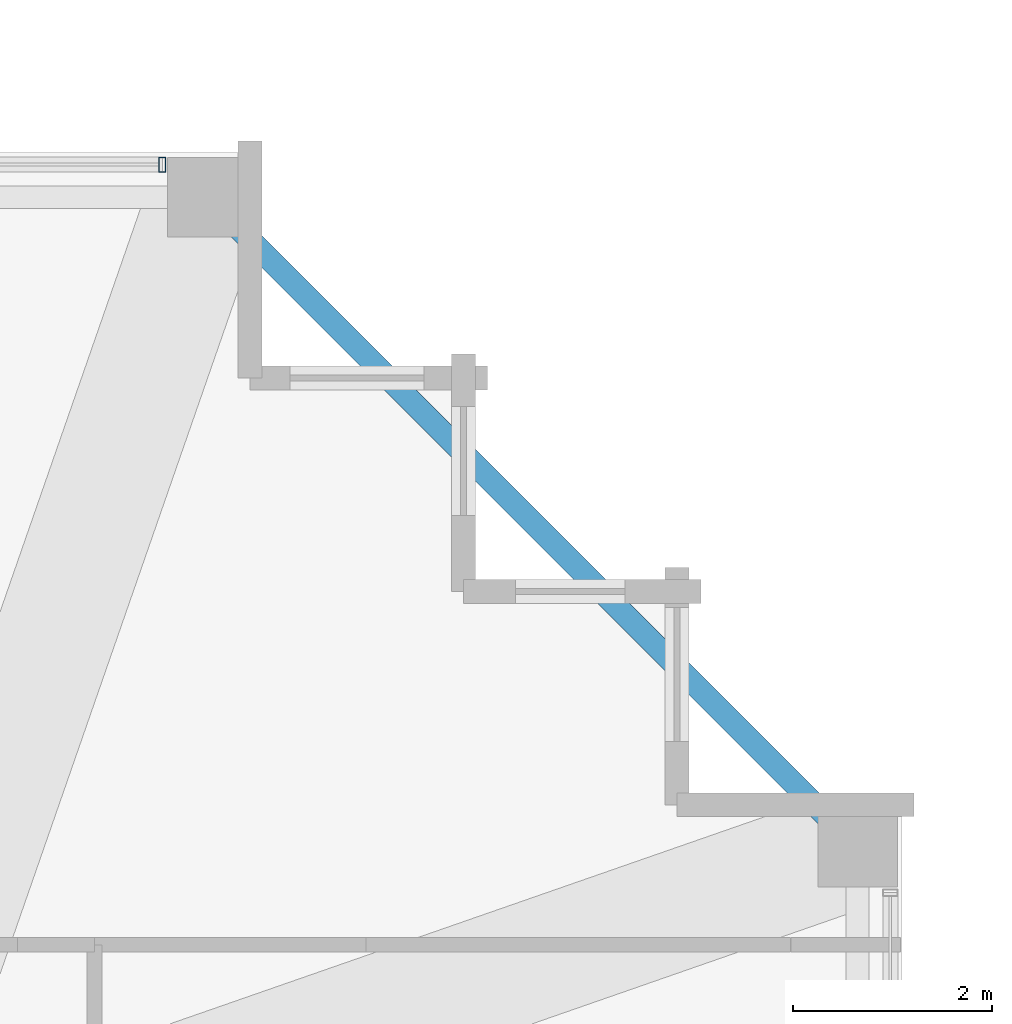
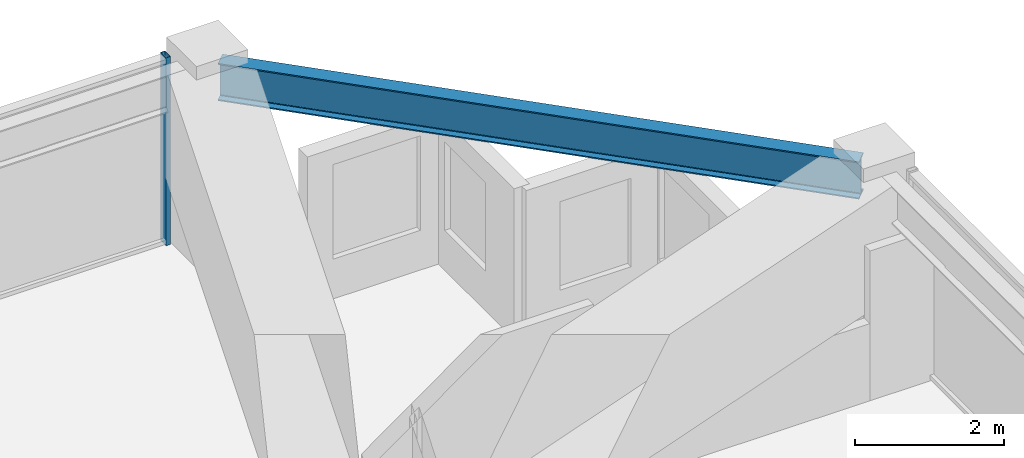
# One storey, part 24 of 37: 1 beam, 1 member, 1 element without a shape of its own.
"""IFC4 building model written with IfcOpenShell, lengths in metres."""

from ifc_helpers import new_model, si_unit, direction, frame, origin, origin_2d, place, context, subcontext, project, spatial, hollow_rectangle, i_section, extrude, material, material_profile, profile_set, type_object, element, aggregate, save


model = new_model("IFC4")

# Units and contexts
model_context = context("Model", 3, precision=1e-05, world=origin(), true_north=direction((0.0, 1.0)))
body_context = subcontext(model_context, "Body", "Model", "MODEL_VIEW")
ifc_project = project(units=[si_unit("LENGTHUNIT", "METRE"), si_unit("AREAUNIT", "SQUARE_METRE"), si_unit("VOLUMEUNIT", "CUBIC_METRE"), si_unit("PLANEANGLEUNIT", "RADIAN"), si_unit("MASSUNIT", "GRAM", prefix="KILO")], contexts=[model_context])

# Site, building, storey
site_placement = place(None, origin())
site = spatial("IfcSite", under=ifc_project, at=site_placement, CompositionType="ELEMENT")
building_placement = place(site_placement, origin())
building = spatial("IfcBuilding", under=site, at=building_placement, Name="Kolvaren Belvedere", CompositionType="ELEMENT")
storey_placement = place(building_placement, frame((0.0, 0.0, 219.60009765625)))
storey = spatial("IfcBuildingStorey", under=building, at=storey_placement, Name="L64", CompositionType="ELEMENT", Elevation=219.60009765625)

# Beam
ifc_material_1 = material(Name="Structural steel ASTM A992 Grade 50", Category="steel")
ifc_material_profile_1 = material_profile(ifc_material_1, i_section(OverallWidth=0.22900390625, OverallDepth=0.612060546875, WebThickness=0.011962890625, FlangeThickness=0.01953125, FilletRadius=0.01806640625, at=origin_2d()), Name="W24X84")
ifc_profile_set_1 = profile_set([ifc_material_profile_1], Name="Structural steel ASTM A992 Grade 50")
beam_type = type_object("IfcBeamType", Name="BM-SPAN-W24X84", PredefinedType="SPANDREL", material=ifc_profile_set_1)
beam_placement = place(storey_placement, frame((19.82275390625, 13.52734375, 2.77392578125), z_axis=(-0.707106781187, 0.707106781187, 0.0), x_axis=(-0.707106781187, -0.707106781187, 0.0)))
element("IfcBeam", 1, at=beam_placement, inside=storey, type_object=beam_type, Name="L64 Perimeter Spandrel E4-N4", PredefinedType="SPANDREL", context=body_context, shape_type="SweptSolid", body=[
    extrude(i_section(OverallWidth=0.22900390625, OverallDepth=0.612060546875, WebThickness=0.011962890625, FlangeThickness=0.01953125, FilletRadius=0.01806640625, at=origin_2d()), origin(), (0.0, 0.0, 1.0), 8.903076171875),
])

# Curtain wall, member
ifc_material_2 = material(Name="Anodised pale-metal aluminium AA 6063-T6", Category="aluminium")
curtain_wall_type = type_object("IfcCurtainWallType", Name="CW-Z5-HIGH", PredefinedType="NOTDEFINED", material=ifc_material_2)
curtain_wall_placement = place(storey_placement, origin())
curtain_wall = element("IfcCurtainWall", 2, at=curtain_wall_placement, inside=storey, type_object=curtain_wall_type, Name="L64 Unitised Curtain Wall FCW-L64-N2-B2", PredefinedType="NOTDEFINED")
ifc_material_3 = material(Name="Anodised pale-metal aluminium AA 6063-T6", Category="aluminium")
ifc_material_profile_2 = material_profile(ifc_material_3, hollow_rectangle(XDim=0.070068359375, YDim=0.14990234375, WallThickness=0.004150390625, at=origin_2d()), Name="ALU-MUL-150X70")
ifc_profile_set_2 = profile_set([ifc_material_profile_2], Name="Anodised pale-metal aluminium AA 6063-T6")
member_type = type_object("IfcMemberType", Name="CW-MUL-150", PredefinedType="MULLION", material=ifc_profile_set_2)
member_placement = place(storey_placement, frame((12.945068359375, 20.280029296875, 0.0), z_axis=(0.0, 0.0, 1.0), x_axis=(1.0, 0.0, 0.0)))
member = element("IfcMember", 3, at=member_placement, type_object=member_type, Name="FCW-L64-N2-B2 Unitised Mullion 3", PredefinedType="MULLION", context=body_context, shape_type="SweptSolid", body=[
    extrude(hollow_rectangle(XDim=0.070068359375, YDim=0.14990234375, WallThickness=0.004150390625, at=origin_2d()), origin(), (0.0, 0.0, 1.0), 3.079833984375),
])
aggregate(curtain_wall, [member])

save(model, "model.ifc")
